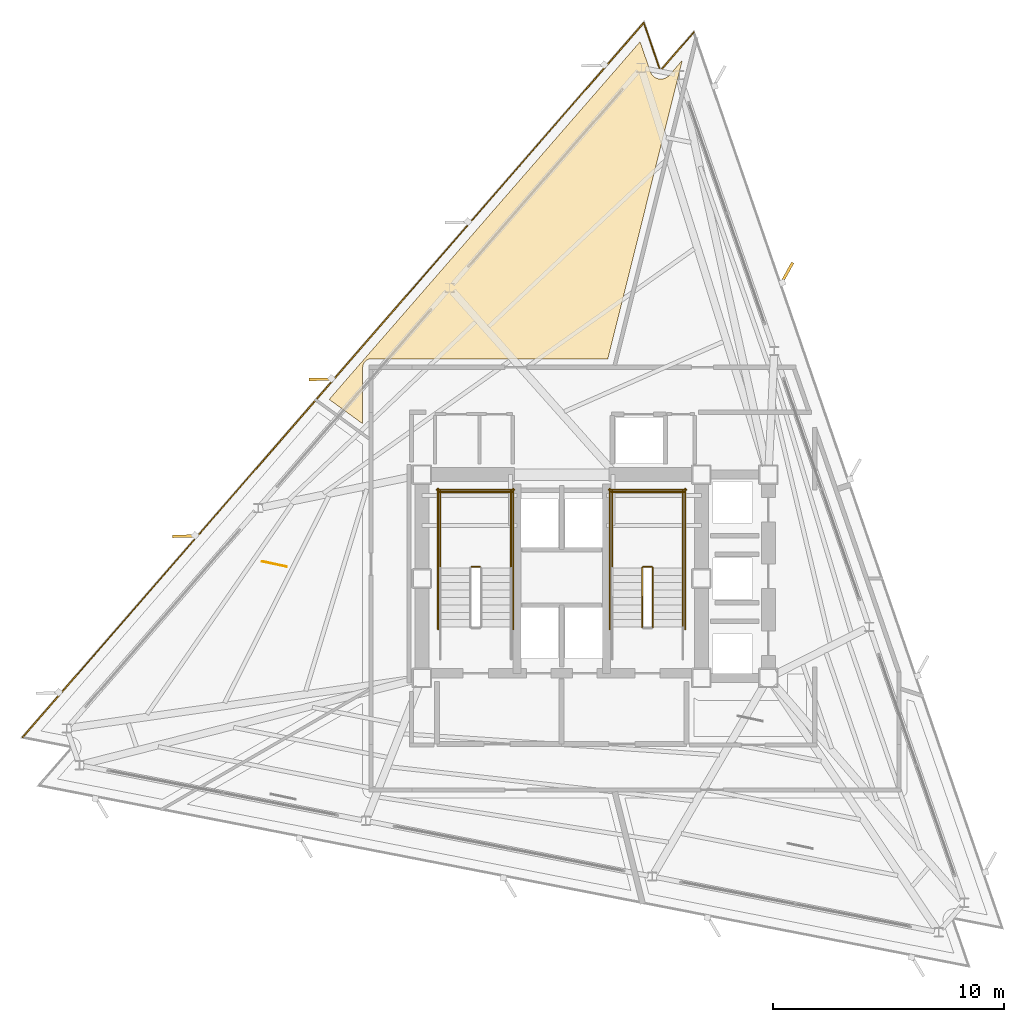
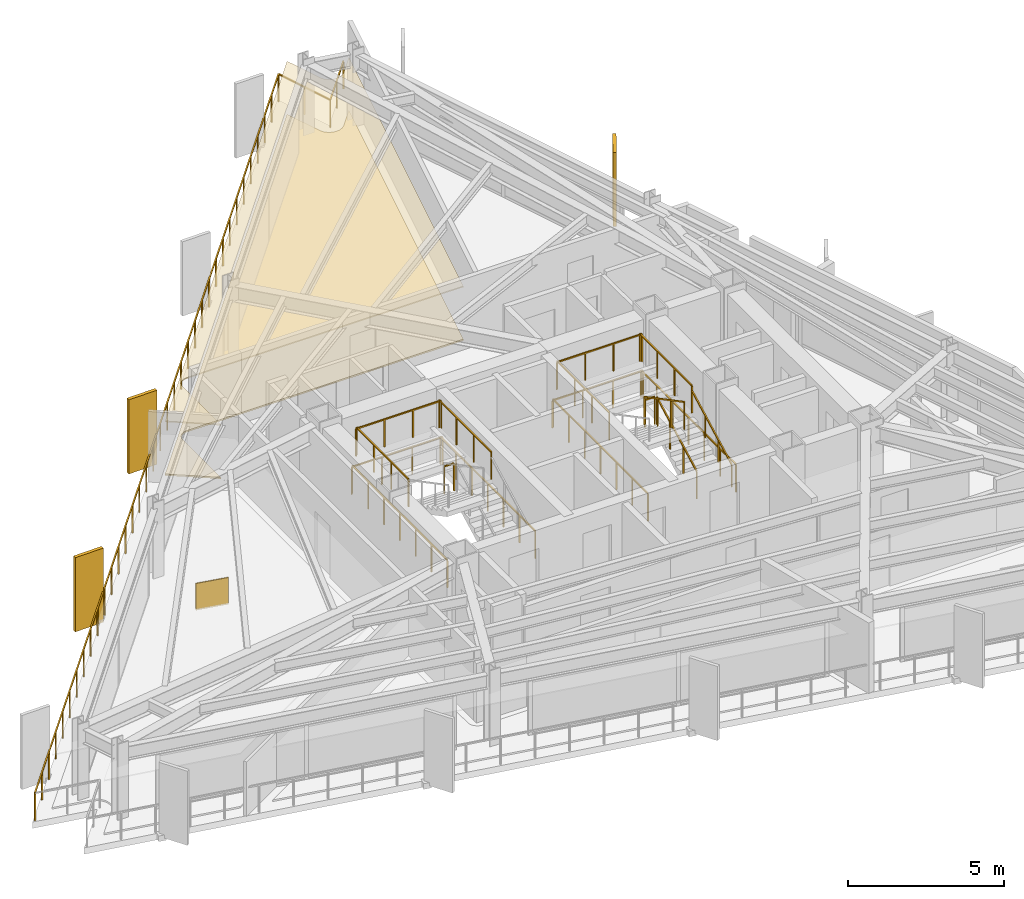
# One storey, part 12 of 13: 18 railings, 3 coverings, 3 shading devices.
"""IFC4 building model written with IfcOpenShell, lengths in metres."""

import ifcopenshell
import ifcopenshell.guid

model = None  # the IFC model being written
_history = None  # IfcOwnerHistory: only IFC2X3 demands one
_inside = {}  # id of a spatial element -> (the spatial element, [elements in it])
_under = {}  # id of a project, library or spatial element -> (it, [spatial elements below it])
_declared = {}  # id of a project -> (the project, [libraries it declares])
_typed = {}  # id of a type object -> (the type object, [elements of that type])
_made_of = {}  # id of a material, layer set ... -> (it, [elements and type objects made of it])


def new_model(schema):
    """Start an empty IFC model of exactly this schema.

    Asked for "IFC4X3", IfcOpenShell would pick the latest addendum, in which some entities
    have other attributes; the version numbers below select the first issue.
    IFC2X3 requires an IfcOwnerHistory on every rooted entity: one is made here for all.
    """
    global model, _history
    if schema == "IFC4X3":
        model = ifcopenshell.file(schema_version=(4, 3, 0, 0))
    else:
        model = ifcopenshell.file(schema=schema)
    _inside.clear()
    _under.clear()
    _declared.clear()
    _typed.clear()
    _made_of.clear()
    _history = None
    if model.schema == "IFC2X3":
        org = make("IfcOrganization", Name="unknown")
        user = make(
            "IfcPersonAndOrganization",
            ThePerson=make("IfcPerson", FamilyName="unknown"),
            TheOrganization=org,
        )
        app = make(
            "IfcApplication",
            ApplicationDeveloper=org,
            Version="unknown",
            ApplicationFullName="unknown",
            ApplicationIdentifier="unknown",
        )
        _history = make(
            "IfcOwnerHistory",
            OwningUser=user,
            OwningApplication=app,
            ChangeAction="ADDED",
            CreationDate=0,
        )
    return model


def make(cls, **values):
    """One entity of the class cls with the attributes given. An attribute that is None is left unset."""
    return model.create_entity(
        cls, **{name: value for name, value in values.items() if value is not None}
    )


def rooted(cls, **values):
    """An entity with a GlobalId (a new one), such as an element, a storey or a relation."""
    return make(cls, GlobalId=ifcopenshell.guid.new(), OwnerHistory=_history, **values)


def si_unit(unit_type, name, prefix=None):
    """IfcSIUnit, for example si_unit("LENGTHUNIT", "METRE", prefix="MILLI")."""
    return make("IfcSIUnit", UnitType=unit_type, Prefix=prefix, Name=name)


def assignment(units):
    """IfcUnitAssignment: the units of a project."""
    return None if units is None else make("IfcUnitAssignment", Units=units)


def point(xyz):
    """IfcCartesianPoint."""
    return None if xyz is None else make("IfcCartesianPoint", Coordinates=xyz)


def direction(xyz):
    """IfcDirection."""
    return None if xyz is None else make("IfcDirection", DirectionRatios=xyz)


def frame(location, z_axis=None, x_axis=None):
    """IfcAxis2Placement3D, a coordinate frame: its origin and axes. An axis left out is left unset."""
    return make(
        "IfcAxis2Placement3D",
        Location=point(location),
        Axis=direction(z_axis),
        RefDirection=direction(x_axis),
    )


def frame_2d(location, x_axis=None):
    """IfcAxis2Placement2D, a coordinate frame in the plane: its origin and x axis."""
    return make(
        "IfcAxis2Placement2D", Location=point(location), RefDirection=direction(x_axis)
    )


def origin():
    """The frame at (0, 0, 0) with its axes left unset."""
    return frame((0.0, 0.0, 0.0))


def origin_2d():
    """The frame at (0, 0) in the plane with its x axis left unset."""
    return frame_2d((0.0, 0.0))


def place(relative_to, where):
    """IfcLocalPlacement: puts the frame where relative to a parent placement (None: the world)."""
    return make(
        "IfcLocalPlacement", PlacementRelTo=relative_to, RelativePlacement=where
    )


def context(
    kind, dimensions, precision=None, world=None, true_north=None, identifier=None
):
    """IfcGeometricRepresentationContext, for example the 3D "Model" context."""
    return make(
        "IfcGeometricRepresentationContext",
        ContextIdentifier=identifier,
        ContextType=kind,
        CoordinateSpaceDimension=dimensions,
        Precision=precision,
        WorldCoordinateSystem=world,
        TrueNorth=true_north,
    )


def subcontext(parent, identifier, kind, view, scale=None):
    """IfcGeometricRepresentationSubContext, for example "Body" below "Model"."""
    return make(
        "IfcGeometricRepresentationSubContext",
        ContextIdentifier=identifier,
        ContextType=kind,
        ParentContext=parent,
        TargetScale=scale,
        TargetView=view,
    )


def project(units=None, contexts=None):
    """IfcProject with its units and contexts."""
    return rooted(
        "IfcProject",
        Name="project",
        RepresentationContexts=contexts,
        UnitsInContext=assignment(units),
    )


def spatial(cls, under=None, at=None, **own):
    """A site, building, storey or space (cls), placed at a placement, below another one or the project."""
    s = rooted(cls, ObjectPlacement=at, **own)
    if under is not None:
        _under.setdefault(under.id(), (under, []))[1].append(s)
    return s


def polyline(points):
    """IfcPolyline through the points."""
    return make("IfcPolyline", Points=[point(p) for p in points])


def profile(cls, at=None, kind="AREA", **sizes):
    """A parametric profile (cls). Its sizes go by their IFC names, for example OverallWidth=200.0."""
    return make(cls, ProfileType=kind, Position=at, **sizes)


def rectangle(**sizes):
    """IfcRectangleProfileDef."""
    return profile("IfcRectangleProfileDef", **sizes)


def outline(outer, holes=None, kind="AREA"):
    """IfcArbitraryClosedProfileDef: a profile drawn as a closed curve; with holes, ...WithVoids."""
    if holes is None:
        return make("IfcArbitraryClosedProfileDef", ProfileType=kind, OuterCurve=outer)
    return make(
        "IfcArbitraryProfileDefWithVoids",
        ProfileType=kind,
        OuterCurve=outer,
        InnerCurves=holes,
    )


def extrude(swept, where, along, depth):
    """IfcExtrudedAreaSolid: the profile swept, set in the frame where, extruded along a direction by depth."""
    return make(
        "IfcExtrudedAreaSolid",
        SweptArea=swept,
        Position=where,
        ExtrudedDirection=direction(along),
        Depth=depth,
    )


def shape(context_of_items, identifier, shape_type, items):
    """IfcShapeRepresentation: the items that make up one representation, for example the "Body"."""
    return make(
        "IfcShapeRepresentation",
        ContextOfItems=context_of_items,
        RepresentationIdentifier=identifier,
        RepresentationType=shape_type,
        Items=items,
    )


def material(Name=None, Category=None):
    """IfcMaterial."""
    return make("IfcMaterial", Name=Name, Category=Category)


def layer(
    of_material, thickness, ventilated=None, Name=None, Category=None, Priority=None
):
    """IfcMaterialLayer: one layer of a wall or slab, of a material (None: an air gap)."""
    return make(
        "IfcMaterialLayer",
        Material=of_material,
        LayerThickness=thickness,
        IsVentilated=ventilated,
        Name=Name,
        Category=Category,
        Priority=Priority,
    )


def layer_set(layers, Name=None):
    """IfcMaterialLayerSet."""
    return make("IfcMaterialLayerSet", MaterialLayers=layers, LayerSetName=Name)


def made_of(thing, what):
    """Note that an element or type object is made of a material, layer set ...; save() writes the relation."""
    if what is not None:
        _made_of.setdefault(what.id(), (what, []))[1].append(thing)
    return thing


def type_object(cls, material=None, **own):
    """A type object (cls), such as IfcWallType, which elements share."""
    return made_of(rooted(cls, **own), material)


def element(
    cls,
    number,
    at=None,
    inside=None,
    cuts=None,
    type_object=None,
    material=None,
    context=None,
    identifier="Body",
    shape_type=None,
    held_by="IfcProductDefinitionShape",
    body=None,
    shapes=None,
    **own,
):
    """One element of the class cls, such as IfcWall. Its Tag is "e" and its number.

    at: its placement. inside: the storey or other place that contains it. cuts: it is an
    opening in that element (IfcRelVoidsElement). A single representation is given by context,
    identifier, shape_type and body (its items); several are given by shapes. held_by: the class
    of the entity that holds the representations. save() writes the other relations.
    """
    e = rooted(cls, Tag="e%d" % number, ObjectPlacement=at, **own)
    if body is not None:
        shapes = [shape(context, identifier, shape_type, body)]
    if shapes is not None:
        e.Representation = make(held_by, Representations=shapes)
    if inside is not None:
        _inside.setdefault(inside.id(), (inside, []))[1].append(e)
    if cuts is not None:
        rooted(
            "IfcRelVoidsElement", RelatingBuildingElement=cuts, RelatedOpeningElement=e
        )
    if type_object is not None:
        _typed.setdefault(type_object.id(), (type_object, []))[1].append(e)
    return made_of(e, material)


def aggregate(whole, parts):
    """IfcRelAggregates: a whole, such as a stair, and the parts it consists of."""
    return rooted("IfcRelAggregates", RelatingObject=whole, RelatedObjects=parts)


def save(model, path):
    """Write the relations noted so far, then the file.

    IfcRelAggregates (storeys below a building ...), IfcRelContainedInSpatialStructure (elements
    in a storey), IfcRelDefinesByType, IfcRelAssociatesMaterial and IfcRelDeclares: one each for
    every whole, place, type object, material and project.
    """
    for whole, parts in _under.values():
        aggregate(whole, parts)
    for where, things in _inside.values():
        rooted(
            "IfcRelContainedInSpatialStructure",
            RelatedElements=things,
            RelatingStructure=where,
        )
    for kind, things in _typed.values():
        rooted("IfcRelDefinesByType", RelatedObjects=things, RelatingType=kind)
    for what, things in _made_of.values():
        rooted("IfcRelAssociatesMaterial", RelatedObjects=things, RelatingMaterial=what)
    for by, libraries in _declared.values():
        rooted("IfcRelDeclares", RelatingContext=by, RelatedDefinitions=libraries)
    model.write(path)


model = new_model("IFC4")

# Units and contexts
model_context = context("Model", 3, precision=1e-05, world=origin(), true_north=direction((0.0, 1.0)))
body_context = subcontext(model_context, "Body", "Model", "MODEL_VIEW")
ifc_project = project(units=[si_unit("LENGTHUNIT", "METRE"), si_unit("AREAUNIT", "SQUARE_METRE"), si_unit("VOLUMEUNIT", "CUBIC_METRE"), si_unit("PLANEANGLEUNIT", "RADIAN"), si_unit("MASSUNIT", "GRAM", prefix="KILO")], contexts=[model_context])

# Site, building, storey
site_placement = place(None, origin())
site = spatial("IfcSite", under=ifc_project, at=site_placement, CompositionType="ELEMENT")
building_placement = place(site_placement, origin())
building = spatial("IfcBuilding", under=site, at=building_placement, Name="Rocaltana Carrier Exchange", CompositionType="ELEMENT")
storey_placement = place(building_placement, frame((0.0, 0.0, 150.239990234375)))
storey = spatial("IfcBuildingStorey", under=building, at=storey_placement, Name="L47", CompositionType="ELEMENT", Elevation=150.239990234375)

# Coverings
ifc_material_1 = material(Name="Calcium Sulphate & Aluminium Pedestal", Category="aluminium")
ifc_layer_1 = layer(ifc_material_1, 0.06005859375)
ifc_layer_set_1 = layer_set([ifc_layer_1], Name="Calcium Sulphate & Aluminium Pedestal")
covering_type_1 = type_object("IfcCoveringType", Name="Anti-Static Raised Exchange Access Floor 60", PredefinedType="FLOORING", material=ifc_layer_set_1)
covering_1_placement = place(storey_placement, origin())
element("IfcCovering", 1, at=covering_1_placement, inside=storey, type_object=covering_type_1, Name="L47 Network Operations Office Finish Floor", PredefinedType="FLOORING", context=body_context, shape_type="SweptSolid", body=[
    extrude(outline(polyline([(3.39697265625, 23.24072265625), (3.842529296875, 21.94677734375), (3.847412109375, 21.93359375), (3.85498046875, 21.9150390625), (3.866455078125, 21.889892578125), (3.875732421875, 21.8720703125), (3.889892578125, 21.847900390625), (3.90087890625, 21.831298828125), (3.917236328125, 21.808837890625), (3.9296875, 21.793212890625), (3.948486328125, 21.7724609375), (3.96240234375, 21.75830078125), (3.983154296875, 21.739501953125), (3.99853515625, 21.726806640625), (4.020751953125, 21.710205078125), (4.037353515625, 21.698974609375), (4.061279296875, 21.684814453125), (4.078857421875, 21.67529296875), (4.104248046875, 21.663330078125), (4.12255859375, 21.65576171875), (4.14892578125, 21.646484375), (4.16796875, 21.640625), (4.195068359375, 21.634033203125), (4.214599609375, 21.630126953125), (4.2421875, 21.626220703125), (4.26220703125, 21.62451171875), (4.2900390625, 21.623291015625), (4.31005859375, 21.623291015625), (4.337890625, 21.625), (4.357666015625, 21.627197265625), (4.38525390625, 21.63134765625), (4.40478515625, 21.635498046875), (4.431640625, 21.642578125), (4.45068359375, 21.648681640625), (4.476806640625, 21.658447265625), (4.4951171875, 21.666259765625), (4.520263671875, 21.6787109375), (4.53759765625, 21.688232421875), (4.561279296875, 21.702880859375), (4.577880859375, 21.71435546875), (4.599853515625, 21.731201171875), (4.614990234375, 21.744384765625), (4.635498046875, 21.763427734375), (4.649169921875, 21.77783203125), (4.65869140625, 21.7880859375), (5.223388671875, 22.4375), (2.0, 9.510009765625), (-8.25, 9.510009765625), (-8.263671875, 9.509765625), (-8.271484375, 9.50927734375), (-8.298828125, 9.506591796875), (-8.306640625, 9.50537109375), (-8.33349609375, 9.5), (-8.34130859375, 9.498291015625), (-8.36767578125, 9.490234375), (-8.375, 9.487548828125), (-8.400390625, 9.47705078125), (-8.407470703125, 9.4736328125), (-8.431640625, 9.460693359375), (-8.4384765625, 9.456787109375), (-8.461181640625, 9.44140625), (-8.467529296875, 9.436767578125), (-8.48876953125, 9.419189453125), (-8.49462890625, 9.4140625), (-8.513916015625, 9.39453125), (-8.519287109375, 9.388916015625), (-8.53662109375, 9.367431640625), (-8.54150390625, 9.361083984375), (-8.556640625, 9.33837890625), (-8.560791015625, 9.331787109375), (-8.57373046875, 9.307373046875), (-8.576904296875, 9.30029296875), (-8.58740234375, 9.27490234375), (-8.590087890625, 9.267578125), (-8.59814453125, 9.2412109375), (-8.60009765625, 9.233642578125), (-8.60546875, 9.206787109375), (-8.606689453125, 9.198974609375), (-8.609375, 9.171630859375), (-8.609619140625, 9.163818359375), (-8.610107421875, 9.14990234375), (-8.610107421875, 6.700439453125), (-10.0634765625, 7.75634765625), (3.39697265625, 23.24072265625)])), origin(), (0.0, 0.0, 1.0), 0.06005859375),
])
ifc_material_2 = material(Name="Mineral Fibre & Powder-Coated Aluminium", Category="aluminium")
ifc_layer_2 = layer(ifc_material_2, 0.044921875)
ifc_layer_set_2 = layer_set([ifc_layer_2], Name="Mineral Fibre & Powder-Coated Aluminium")
covering_type_2 = type_object("IfcCoveringType", Name="Micro-Perforated Acoustic Ceiling 45", PredefinedType="CEILING", material=ifc_layer_set_2)
covering_2_placement = place(storey_placement, frame((0.0, 0.0, 2.093017578125)))
element("IfcCovering", 2, at=covering_2_placement, inside=storey, type_object=covering_type_2, Name="L47 Network Operations Office Acoustic Ceiling", PredefinedType="CEILING", context=body_context, shape_type="SweptSolid", body=[
    extrude(outline(polyline([(3.39697265625, 23.24072265625), (3.842529296875, 21.94677734375), (3.847412109375, 21.93359375), (3.85498046875, 21.9150390625), (3.866455078125, 21.889892578125), (3.875732421875, 21.8720703125), (3.889892578125, 21.847900390625), (3.90087890625, 21.831298828125), (3.917236328125, 21.808837890625), (3.9296875, 21.793212890625), (3.948486328125, 21.7724609375), (3.96240234375, 21.75830078125), (3.983154296875, 21.739501953125), (3.99853515625, 21.726806640625), (4.020751953125, 21.710205078125), (4.037353515625, 21.698974609375), (4.061279296875, 21.684814453125), (4.078857421875, 21.67529296875), (4.104248046875, 21.663330078125), (4.12255859375, 21.65576171875), (4.14892578125, 21.646484375), (4.16796875, 21.640625), (4.195068359375, 21.634033203125), (4.214599609375, 21.630126953125), (4.2421875, 21.626220703125), (4.26220703125, 21.62451171875), (4.2900390625, 21.623291015625), (4.31005859375, 21.623291015625), (4.337890625, 21.625), (4.357666015625, 21.627197265625), (4.38525390625, 21.63134765625), (4.40478515625, 21.635498046875), (4.431640625, 21.642578125), (4.45068359375, 21.648681640625), (4.476806640625, 21.658447265625), (4.4951171875, 21.666259765625), (4.520263671875, 21.6787109375), (4.53759765625, 21.688232421875), (4.561279296875, 21.702880859375), (4.577880859375, 21.71435546875), (4.599853515625, 21.731201171875), (4.614990234375, 21.744384765625), (4.635498046875, 21.763427734375), (4.649169921875, 21.77783203125), (4.65869140625, 21.7880859375), (5.223388671875, 22.4375), (2.0, 9.510009765625), (-8.25, 9.510009765625), (-8.263671875, 9.509765625), (-8.271484375, 9.50927734375), (-8.298828125, 9.506591796875), (-8.306640625, 9.50537109375), (-8.33349609375, 9.5), (-8.34130859375, 9.498291015625), (-8.36767578125, 9.490234375), (-8.375, 9.487548828125), (-8.400390625, 9.47705078125), (-8.407470703125, 9.4736328125), (-8.431640625, 9.460693359375), (-8.4384765625, 9.456787109375), (-8.461181640625, 9.44140625), (-8.467529296875, 9.436767578125), (-8.48876953125, 9.419189453125), (-8.49462890625, 9.4140625), (-8.513916015625, 9.39453125), (-8.519287109375, 9.388916015625), (-8.53662109375, 9.367431640625), (-8.54150390625, 9.361083984375), (-8.556640625, 9.33837890625), (-8.560791015625, 9.331787109375), (-8.57373046875, 9.307373046875), (-8.576904296875, 9.30029296875), (-8.58740234375, 9.27490234375), (-8.590087890625, 9.267578125), (-8.59814453125, 9.2412109375), (-8.60009765625, 9.233642578125), (-8.60546875, 9.206787109375), (-8.606689453125, 9.198974609375), (-8.609375, 9.171630859375), (-8.609619140625, 9.163818359375), (-8.610107421875, 9.14990234375), (-8.610107421875, 6.700439453125), (-10.0634765625, 7.75634765625), (3.39697265625, 23.24072265625)])), origin(), (0.0, 0.0, 1.0), 0.044921875),
])

# Railings
ifc_material_3 = material(Name="Brushed Architectural Stainless Tube", Category="steel")
ifc_layer_3 = layer(ifc_material_3, 0.048095703125)
ifc_layer_set_3 = layer_set([ifc_layer_3], Name="Brushed Architectural Stainless Tube")
railing_type_1 = type_object("IfcRailingType", Name="Stair Wall Handrail 920", PredefinedType="HANDRAIL", material=ifc_layer_set_3)
railing_1_placement = place(storey_placement, frame((5.25, -2.10009765625, 0.1689453125)))
element("IfcRailing", 3, at=railing_1_placement, inside=storey, type_object=railing_type_1, Name="L47 ST-2 stair handrail 1", PredefinedType="HANDRAIL", context=body_context, shape_type="SweptSolid", body=[
    extrude(rectangle(XDim=0.048095703125, YDim=0.048095703125, at=origin_2d()), frame((0.0, 0.0, 0.8759765625), z_axis=(0.0, 0.884394423565, 0.466740295633), x_axis=(-1.0, 0.0, 0.0)), (0.0, 0.0, 1.0), 2.894775390625),
    extrude(rectangle(XDim=0.0419921875, YDim=0.0419921875, at=origin_2d()), origin(), (0.0, 0.0, 1.0), 0.851806640625),
    extrude(rectangle(XDim=0.0419921875, YDim=0.0419921875, at=origin_2d()), frame((0.0, 0.853271484375, 0.450439453125)), (0.0, 0.0, 1.0), 0.851806640625),
    extrude(rectangle(XDim=0.0419921875, YDim=0.0419921875, at=origin_2d()), frame((0.0, 1.706787109375, 0.900634765625)), (0.0, 0.0, 1.0), 0.851806640625),
    extrude(rectangle(XDim=0.0419921875, YDim=0.0419921875, at=origin_2d()), frame((0.0, 2.56005859375, 1.35107421875)), (0.0, 0.0, 1.0), 0.851806640625),
])
ifc_material_4 = material(Name="Powder-Coated Aluminium 6063-T6", Category="aluminium")
ifc_layer_4 = layer(ifc_material_4, 0.048095703125)
ifc_layer_set_4 = layer_set([ifc_layer_4], Name="Powder-Coated Aluminium 6063-T6")
railing_type_2 = type_object("IfcRailingType", Name="Stair Well Guardrail 1100", PredefinedType="GUARDRAIL", material=ifc_layer_set_4)
railing_2_placement = place(storey_placement, frame((-3.5400390625, 0.510009765625, 1.52001953125)))
element("IfcRailing", 4, at=railing_2_placement, inside=storey, type_object=railing_type_2, Name="L47 ST-1 stair guard 2", PredefinedType="GUARDRAIL", context=body_context, shape_type="SweptSolid", body=[
    extrude(rectangle(XDim=0.048095703125, YDim=0.048095703125, at=origin_2d()), frame((0.0, 0.0, 1.076171875), z_axis=(-1.0, 0.0, 0.0), x_axis=(0.0, -1.0, 0.0)), (0.0, 0.0, 1.0), 0.35986328125),
    extrude(rectangle(XDim=0.0419921875, YDim=0.0419921875, at=origin_2d()), origin(), (0.0, 0.0, 1.0), 1.052001953125),
    extrude(rectangle(XDim=0.0419921875, YDim=0.0419921875, at=origin_2d()), frame((-0.35986328125, 0.0, 0.0)), (0.0, 0.0, 1.0), 1.052001953125),
])
for number, where, name in (
    (5, (-2.18994140625, 0.4599609375, 1.52001953125), "L47 ST-1 stair guard 3"),
    (6, (-5.25, 0.4599609375, 1.52001953125), "L47 ST-1 stair guard 4"),
):
    element("IfcRailing", number, at=place(storey_placement, frame(where)), inside=storey, type_object=railing_type_2, Name=name, PredefinedType="GUARDRAIL", context=body_context, shape_type="SweptSolid", body=[
        extrude(rectangle(XDim=0.048095703125, YDim=0.048095703125, at=origin_2d()), frame((0.0, 0.0, 1.076171875), z_axis=(0.0, 1.0, 0.0), x_axis=(-1.0, 0.0, 0.0)), (0.0, 0.0, 1.0), 3.340087890625),
        extrude(rectangle(XDim=0.0419921875, YDim=0.0419921875, at=origin_2d()), origin(), (0.0, 0.0, 1.0), 1.052001953125),
        extrude(rectangle(XDim=0.0419921875, YDim=0.0419921875, at=origin_2d()), frame((0.0, 1.11328125, 0.0)), (0.0, 0.0, 1.0), 1.052001953125),
        extrude(rectangle(XDim=0.0419921875, YDim=0.0419921875, at=origin_2d()), frame((0.0, 2.226806640625, 0.0)), (0.0, 0.0, 1.0), 1.052001953125),
        extrude(rectangle(XDim=0.0419921875, YDim=0.0419921875, at=origin_2d()), frame((0.0, 3.340087890625, 0.0)), (0.0, 0.0, 1.0), 1.052001953125),
    ])
railing_3_placement = place(storey_placement, frame((-2.139892578125, 3.75, 1.52001953125)))
element("IfcRailing", 7, at=railing_3_placement, inside=storey, type_object=railing_type_2, Name="L47 ST-1 stair guard 5", PredefinedType="GUARDRAIL", context=body_context, shape_type="SweptSolid", body=[
    extrude(rectangle(XDim=0.048095703125, YDim=0.048095703125, at=origin_2d()), frame((0.0, 0.0, 1.076171875), z_axis=(-1.0, 0.0, 0.0), x_axis=(0.0, -1.0, 0.0)), (0.0, 0.0, 1.0), 3.16015625),
    extrude(rectangle(XDim=0.0419921875, YDim=0.0419921875, at=origin_2d()), origin(), (0.0, 0.0, 1.0), 1.052001953125),
    extrude(rectangle(XDim=0.0419921875, YDim=0.0419921875, at=origin_2d()), frame((-1.053466796875, 0.0, 0.0)), (0.0, 0.0, 1.0), 1.052001953125),
    extrude(rectangle(XDim=0.0419921875, YDim=0.0419921875, at=origin_2d()), frame((-2.106689453125, 0.0, 0.0)), (0.0, 0.0, 1.0), 1.052001953125),
    extrude(rectangle(XDim=0.0419921875, YDim=0.0419921875, at=origin_2d()), frame((-3.16015625, 0.0, 0.0)), (0.0, 0.0, 1.0), 1.052001953125),
])
for number, where, name in (
    (8, (-2.090087890625, -2.199951171875, 0.0), "L47 ST-1 stair guard 10"),
    (9, (-5.35009765625, -2.199951171875, 0.0), "L47 ST-1 stair guard 11"),
):
    element("IfcRailing", number, at=place(storey_placement, frame(where)), inside=storey, type_object=railing_type_2, Name=name, PredefinedType="GUARDRAIL", context=body_context, shape_type="SweptSolid", body=[
        extrude(rectangle(XDim=0.048095703125, YDim=0.048095703125, at=origin_2d()), frame((0.0, 0.0, 1.076171875), z_axis=(0.0, 1.0, 0.0), x_axis=(-1.0, 0.0, 0.0)), (0.0, 0.0, 1.0), 6.099853515625),
        extrude(rectangle(XDim=0.0419921875, YDim=0.0419921875, at=origin_2d()), origin(), (0.0, 0.0, 1.0), 1.052001953125),
        extrude(rectangle(XDim=0.0419921875, YDim=0.0419921875, at=origin_2d()), frame((0.0, 1.0166015625, 0.0)), (0.0, 0.0, 1.0), 1.052001953125),
        extrude(rectangle(XDim=0.0419921875, YDim=0.0419921875, at=origin_2d()), frame((0.0, 2.033203125, 0.0)), (0.0, 0.0, 1.0), 1.052001953125),
        extrude(rectangle(XDim=0.0419921875, YDim=0.0419921875, at=origin_2d()), frame((0.0, 3.0498046875, 0.0)), (0.0, 0.0, 1.0), 1.052001953125),
        extrude(rectangle(XDim=0.0419921875, YDim=0.0419921875, at=origin_2d()), frame((0.0, 4.066650390625, 0.0)), (0.0, 0.0, 1.0), 1.052001953125),
        extrude(rectangle(XDim=0.0419921875, YDim=0.0419921875, at=origin_2d()), frame((0.0, 5.083251953125, 0.0)), (0.0, 0.0, 1.0), 1.052001953125),
        extrude(rectangle(XDim=0.0419921875, YDim=0.0419921875, at=origin_2d()), frame((0.0, 6.099853515625, 0.0)), (0.0, 0.0, 1.0), 1.052001953125),
    ])
railing_4_placement = place(storey_placement, frame((-2.0400390625, 3.85009765625, 0.0)))
element("IfcRailing", 10, at=railing_4_placement, inside=storey, type_object=railing_type_2, Name="L47 ST-1 stair guard 12", PredefinedType="GUARDRAIL", context=body_context, shape_type="SweptSolid", body=[
    extrude(rectangle(XDim=0.048095703125, YDim=0.048095703125, at=origin_2d()), frame((0.0, 0.0, 1.076171875), z_axis=(-1.0, 0.0, 0.0), x_axis=(0.0, -1.0, 0.0)), (0.0, 0.0, 1.0), 3.35986328125),
    extrude(rectangle(XDim=0.0419921875, YDim=0.0419921875, at=origin_2d()), origin(), (0.0, 0.0, 1.0), 1.052001953125),
    extrude(rectangle(XDim=0.0419921875, YDim=0.0419921875, at=origin_2d()), frame((-1.119873046875, 0.0, 0.0)), (0.0, 0.0, 1.0), 1.052001953125),
    extrude(rectangle(XDim=0.0419921875, YDim=0.0419921875, at=origin_2d()), frame((-2.239990234375, 0.0, 0.0)), (0.0, 0.0, 1.0), 1.052001953125),
    extrude(rectangle(XDim=0.0419921875, YDim=0.0419921875, at=origin_2d()), frame((-3.35986328125, 0.0, 0.0)), (0.0, 0.0, 1.0), 1.052001953125),
])
railing_5_placement = place(storey_placement, frame((3.949951171875, -2.10009765625, 0.1689453125)))
element("IfcRailing", 11, at=railing_5_placement, inside=storey, type_object=railing_type_2, Name="L47 ST-2 stair guard 1", PredefinedType="GUARDRAIL", context=body_context, shape_type="SweptSolid", body=[
    extrude(rectangle(XDim=0.048095703125, YDim=0.048095703125, at=origin_2d()), frame((0.0, 0.0, 1.076171875), z_axis=(0.0, 0.884394423565, 0.466740295633), x_axis=(-1.0, 0.0, 0.0)), (0.0, 0.0, 1.0), 2.894775390625),
    extrude(rectangle(XDim=0.0419921875, YDim=0.0419921875, at=origin_2d()), origin(), (0.0, 0.0, 1.0), 1.052001953125),
    extrude(rectangle(XDim=0.0419921875, YDim=0.0419921875, at=origin_2d()), frame((0.0, 0.853271484375, 0.450439453125)), (0.0, 0.0, 1.0), 1.052001953125),
    extrude(rectangle(XDim=0.0419921875, YDim=0.0419921875, at=origin_2d()), frame((0.0, 1.706787109375, 0.900634765625)), (0.0, 0.0, 1.0), 1.052001953125),
    extrude(rectangle(XDim=0.0419921875, YDim=0.0419921875, at=origin_2d()), frame((0.0, 2.56005859375, 1.35107421875)), (0.0, 0.0, 1.0), 1.052001953125),
])
railing_6_placement = place(storey_placement, frame((3.89990234375, 0.510009765625, 1.52001953125)))
element("IfcRailing", 12, at=railing_6_placement, inside=storey, type_object=railing_type_2, Name="L47 ST-2 stair guard 2", PredefinedType="GUARDRAIL", context=body_context, shape_type="SweptSolid", body=[
    extrude(rectangle(XDim=0.048095703125, YDim=0.048095703125, at=origin_2d()), frame((0.0, 0.0, 1.076171875), z_axis=(-1.0, 0.0, 0.0), x_axis=(0.0, -1.0, 0.0)), (0.0, 0.0, 1.0), 0.35986328125),
    extrude(rectangle(XDim=0.0419921875, YDim=0.0419921875, at=origin_2d()), origin(), (0.0, 0.0, 1.0), 1.052001953125),
    extrude(rectangle(XDim=0.0419921875, YDim=0.0419921875, at=origin_2d()), frame((-0.35986328125, 0.0, 0.0)), (0.0, 0.0, 1.0), 1.052001953125),
])
for number, where, name in (
    (13, (5.25, 0.4599609375, 1.52001953125), "L47 ST-2 stair guard 3"),
    (14, (2.18994140625, 0.4599609375, 1.52001953125), "L47 ST-2 stair guard 4"),
):
    element("IfcRailing", number, at=place(storey_placement, frame(where)), inside=storey, type_object=railing_type_2, Name=name, PredefinedType="GUARDRAIL", context=body_context, shape_type="SweptSolid", body=[
        extrude(rectangle(XDim=0.048095703125, YDim=0.048095703125, at=origin_2d()), frame((0.0, 0.0, 1.076171875), z_axis=(0.0, 1.0, 0.0), x_axis=(-1.0, 0.0, 0.0)), (0.0, 0.0, 1.0), 3.340087890625),
        extrude(rectangle(XDim=0.0419921875, YDim=0.0419921875, at=origin_2d()), origin(), (0.0, 0.0, 1.0), 1.052001953125),
        extrude(rectangle(XDim=0.0419921875, YDim=0.0419921875, at=origin_2d()), frame((0.0, 1.11328125, 0.0)), (0.0, 0.0, 1.0), 1.052001953125),
        extrude(rectangle(XDim=0.0419921875, YDim=0.0419921875, at=origin_2d()), frame((0.0, 2.226806640625, 0.0)), (0.0, 0.0, 1.0), 1.052001953125),
        extrude(rectangle(XDim=0.0419921875, YDim=0.0419921875, at=origin_2d()), frame((0.0, 3.340087890625, 0.0)), (0.0, 0.0, 1.0), 1.052001953125),
    ])
railing_7_placement = place(storey_placement, frame((5.300048828125, 3.75, 1.52001953125)))
element("IfcRailing", 15, at=railing_7_placement, inside=storey, type_object=railing_type_2, Name="L47 ST-2 stair guard 5", PredefinedType="GUARDRAIL", context=body_context, shape_type="SweptSolid", body=[
    extrude(rectangle(XDim=0.048095703125, YDim=0.048095703125, at=origin_2d()), frame((0.0, 0.0, 1.076171875), z_axis=(-1.0, 0.0, 0.0), x_axis=(0.0, -1.0, 0.0)), (0.0, 0.0, 1.0), 3.16015625),
    extrude(rectangle(XDim=0.0419921875, YDim=0.0419921875, at=origin_2d()), origin(), (0.0, 0.0, 1.0), 1.052001953125),
    extrude(rectangle(XDim=0.0419921875, YDim=0.0419921875, at=origin_2d()), frame((-1.053466796875, 0.0, 0.0)), (0.0, 0.0, 1.0), 1.052001953125),
    extrude(rectangle(XDim=0.0419921875, YDim=0.0419921875, at=origin_2d()), frame((-2.106689453125, 0.0, 0.0)), (0.0, 0.0, 1.0), 1.052001953125),
    extrude(rectangle(XDim=0.0419921875, YDim=0.0419921875, at=origin_2d()), frame((-3.16015625, 0.0, 0.0)), (0.0, 0.0, 1.0), 1.052001953125),
])
railing_8_placement = place(storey_placement, frame((3.489990234375, 0.4599609375, 1.68896484375)))
element("IfcRailing", 16, at=railing_8_placement, inside=storey, type_object=railing_type_2, Name="L47 ST-2 stair guard 6", PredefinedType="GUARDRAIL", context=body_context, shape_type="SweptSolid", body=[
    extrude(rectangle(XDim=0.048095703125, YDim=0.048095703125, at=origin_2d()), frame((0.0, 0.0, 1.076171875), z_axis=(0.0, -0.884394423565, 0.466740295633), x_axis=(1.0, 0.0, 0.0)), (0.0, 0.0, 1.0), 2.894775390625),
    extrude(rectangle(XDim=0.0419921875, YDim=0.0419921875, at=origin_2d()), origin(), (0.0, 0.0, 1.0), 1.052001953125),
    extrude(rectangle(XDim=0.0419921875, YDim=0.0419921875, at=origin_2d()), frame((0.0, -0.853271484375, 0.450439453125)), (0.0, 0.0, 1.0), 1.052001953125),
    extrude(rectangle(XDim=0.0419921875, YDim=0.0419921875, at=origin_2d()), frame((0.0, -1.706787109375, 0.900634765625)), (0.0, 0.0, 1.0), 1.052001953125),
    extrude(rectangle(XDim=0.0419921875, YDim=0.0419921875, at=origin_2d()), frame((0.0, -2.56005859375, 1.35107421875)), (0.0, 0.0, 1.0), 1.052001953125),
])
for number, where, name in (
    (17, (5.35009765625, -2.199951171875, 0.0), "L47 ST-2 stair guard 10"),
    (18, (2.090087890625, -2.199951171875, 0.0), "L47 ST-2 stair guard 11"),
):
    element("IfcRailing", number, at=place(storey_placement, frame(where)), inside=storey, type_object=railing_type_2, Name=name, PredefinedType="GUARDRAIL", context=body_context, shape_type="SweptSolid", body=[
        extrude(rectangle(XDim=0.048095703125, YDim=0.048095703125, at=origin_2d()), frame((0.0, 0.0, 1.076171875), z_axis=(0.0, 1.0, 0.0), x_axis=(-1.0, 0.0, 0.0)), (0.0, 0.0, 1.0), 6.099853515625),
        extrude(rectangle(XDim=0.0419921875, YDim=0.0419921875, at=origin_2d()), origin(), (0.0, 0.0, 1.0), 1.052001953125),
        extrude(rectangle(XDim=0.0419921875, YDim=0.0419921875, at=origin_2d()), frame((0.0, 1.0166015625, 0.0)), (0.0, 0.0, 1.0), 1.052001953125),
        extrude(rectangle(XDim=0.0419921875, YDim=0.0419921875, at=origin_2d()), frame((0.0, 2.033203125, 0.0)), (0.0, 0.0, 1.0), 1.052001953125),
        extrude(rectangle(XDim=0.0419921875, YDim=0.0419921875, at=origin_2d()), frame((0.0, 3.0498046875, 0.0)), (0.0, 0.0, 1.0), 1.052001953125),
        extrude(rectangle(XDim=0.0419921875, YDim=0.0419921875, at=origin_2d()), frame((0.0, 4.066650390625, 0.0)), (0.0, 0.0, 1.0), 1.052001953125),
        extrude(rectangle(XDim=0.0419921875, YDim=0.0419921875, at=origin_2d()), frame((0.0, 5.083251953125, 0.0)), (0.0, 0.0, 1.0), 1.052001953125),
        extrude(rectangle(XDim=0.0419921875, YDim=0.0419921875, at=origin_2d()), frame((0.0, 6.099853515625, 0.0)), (0.0, 0.0, 1.0), 1.052001953125),
    ])
railing_9_placement = place(storey_placement, frame((5.39990234375, 3.85009765625, 0.0)))
element("IfcRailing", 19, at=railing_9_placement, inside=storey, type_object=railing_type_2, Name="L47 ST-2 stair guard 12", PredefinedType="GUARDRAIL", context=body_context, shape_type="SweptSolid", body=[
    extrude(rectangle(XDim=0.048095703125, YDim=0.048095703125, at=origin_2d()), frame((0.0, 0.0, 1.076171875), z_axis=(-1.0, 0.0, 0.0), x_axis=(0.0, -1.0, 0.0)), (0.0, 0.0, 1.0), 3.35986328125),
    extrude(rectangle(XDim=0.0419921875, YDim=0.0419921875, at=origin_2d()), origin(), (0.0, 0.0, 1.0), 1.052001953125),
    extrude(rectangle(XDim=0.0419921875, YDim=0.0419921875, at=origin_2d()), frame((-1.119873046875, 0.0, 0.0)), (0.0, 0.0, 1.0), 1.052001953125),
    extrude(rectangle(XDim=0.0419921875, YDim=0.0419921875, at=origin_2d()), frame((-2.239990234375, 0.0, 0.0)), (0.0, 0.0, 1.0), 1.052001953125),
    extrude(rectangle(XDim=0.0419921875, YDim=0.0419921875, at=origin_2d()), frame((-3.35986328125, 0.0, 0.0)), (0.0, 0.0, 1.0), 1.052001953125),
])

# Covering
ifc_material_5 = material(Name="Honed Piedra Muneca Sandstone", Category="masonry")
ifc_layer_5 = layer(ifc_material_5, 0.034912109375)
ifc_layer_set_5 = layer_set([ifc_layer_5], Name="Honed Piedra Muneca Sandstone")
covering_type_3 = type_object("IfcCoveringType", Name="Stone Facade Cladding 35", PredefinedType="CLADDING", material=ifc_layer_set_5)
covering_3_placement = place(storey_placement, frame((-12.435302734375, 0.627685546875, 0.0), z_axis=(0.0, 0.0, 1.0), x_axis=(-0.978147600734, 0.207911690818, 0.0)))
element("IfcCovering", 20, at=covering_3_placement, inside=storey, type_object=covering_type_3, Name="L47 Stone Facade Cladding Panel 1", PredefinedType="CLADDING", context=body_context, shape_type="SweptSolid", body=[
    extrude(rectangle(XDim=1.10009765625, YDim=0.034912109375, at=origin_2d()), origin(), (0.0, 0.0, 1.0), 1.050048828125),
])

# Shading devices
ifc_material_6 = material(Name="Honed Bogota Sandstone & Concrete C45/55", Category="masonry")
ifc_layer_6 = layer(ifc_material_6, 0.1201171875)
ifc_layer_set_6 = layer_set([ifc_layer_6], Name="Honed Bogota Sandstone & Concrete C45/55")
shading_device_type = type_object("IfcShadingDeviceType", Name="Upper Sandstone Shading Fin 1050x120", PredefinedType="USERDEFINED", material=ifc_layer_set_6)
for number, where, z_axis, x_axis, name in (
    (21, (9.75146484375, 13.219482421875, -0.1201171875), (0.0, 0.0, 1.0), (0.484809620246, 0.874619707139, 0.0), "L47 Sandstone Vertical Fin F1-04"),
    (22, (-10.419677734375, 8.627685546875, -0.1201171875), (0.0, 0.0, 1.0), (-0.999847695156, -0.017452406437, 0.0), "L47 Sandstone Vertical Fin F2-03"),
    (23, (-16.32421875, 1.835205078125, -0.1201171875), (0.0, 0.0, 1.0), (-0.999847695156, -0.017452406437, 0.0), "L47 Sandstone Vertical Fin F2-04"),
):
    element("IfcShadingDevice", number, at=place(storey_placement, frame(where, z_axis=z_axis, x_axis=x_axis)), inside=storey, type_object=shading_device_type, Name=name, ObjectType="FIN", PredefinedType="USERDEFINED", context=body_context, shape_type="SweptSolid", body=[
        extrude(rectangle(XDim=1.050048828125, YDim=0.1201171875, at=origin_2d()), origin(), (0.0, 0.0, 1.0), 2.907958984375),
    ])

# Railing
ifc_material_7 = material(Name="Powder-Coated Aluminium 6063-T6", Category="aluminium")
ifc_layer_7 = layer(ifc_material_7, 0.06005859375)
ifc_layer_set_7 = layer_set([ifc_layer_7], Name="Powder-Coated Aluminium 6063-T6")
railing_type_3 = type_object("IfcRailingType", Name="Wind-Floor & Terrace Perimeter Guardrail 1100", PredefinedType="GUARDRAIL", material=ifc_layer_set_7)
railing_10_placement = place(storey_placement, frame((-23.3359375, -6.871826171875, 0.0)))
element("IfcRailing", 24, at=railing_10_placement, inside=storey, type_object=railing_type_3, Name="L47 Perimeter Balcony Guardrail 2", PredefinedType="GUARDRAIL", context=body_context, shape_type="SweptSolid", body=[
    extrude(rectangle(XDim=0.048095703125, YDim=0.048095703125, at=origin_2d()), frame((0.0, 0.0, 1.076171875), z_axis=(0.656058089841, 0.754710396612, 0.0), x_axis=(-0.754710396612, 0.656058089841, 0.0)), (0.0, 0.0, 1.0), 40.991943359375),
    extrude(rectangle(XDim=0.048095703125, YDim=0.048095703125, at=origin_2d()), frame((26.89306640625, 30.93701171875, 1.076171875), z_axis=(0.325600768791, -0.945507344955, 0.0), x_axis=(0.945507344955, 0.325600768791, 0.0)), (0.0, 0.0, 1.0), 2.199951171875),
    extrude(rectangle(XDim=0.048095703125, YDim=0.048095703125, at=origin_2d()), frame((27.609375, 28.85693359375, 1.076171875), z_axis=(0.656057821484, 0.75471062989, 0.0), x_axis=(-0.75471062989, 0.656057821484, 0.0)), (0.0, 0.0, 1.0), 2.199951171875),
    extrude(rectangle(XDim=0.0419921875, YDim=0.0419921875, at=origin_2d()), origin(), (0.0, 0.0, 1.0), 1.052001953125),
    extrude(rectangle(XDim=0.0419921875, YDim=0.0419921875, at=origin_2d()), frame((0.768310546875, 0.884033203125, 0.0)), (0.0, 0.0, 1.0), 1.052001953125),
    extrude(rectangle(XDim=0.0419921875, YDim=0.0419921875, at=origin_2d()), frame((1.536865234375, 1.767822265625, 0.0)), (0.0, 0.0, 1.0), 1.052001953125),
    extrude(rectangle(XDim=0.0419921875, YDim=0.0419921875, at=origin_2d()), frame((2.30517578125, 2.65185546875, 0.0)), (0.0, 0.0, 1.0), 1.052001953125),
    extrude(rectangle(XDim=0.0419921875, YDim=0.0419921875, at=origin_2d()), frame((3.073486328125, 3.53564453125, 0.0)), (0.0, 0.0, 1.0), 1.052001953125),
    extrude(rectangle(XDim=0.0419921875, YDim=0.0419921875, at=origin_2d()), frame((3.841796875, 4.419677734375, 0.0)), (0.0, 0.0, 1.0), 1.052001953125),
    extrude(rectangle(XDim=0.0419921875, YDim=0.0419921875, at=origin_2d()), frame((4.6103515625, 5.303466796875, 0.0)), (0.0, 0.0, 1.0), 1.052001953125),
    extrude(rectangle(XDim=0.0419921875, YDim=0.0419921875, at=origin_2d()), frame((5.378662109375, 6.1875, 0.0)), (0.0, 0.0, 1.0), 1.052001953125),
    extrude(rectangle(XDim=0.0419921875, YDim=0.0419921875, at=origin_2d()), frame((6.14697265625, 7.0712890625, 0.0)), (0.0, 0.0, 1.0), 1.052001953125),
    extrude(rectangle(XDim=0.0419921875, YDim=0.0419921875, at=origin_2d()), frame((6.915283203125, 7.955322265625, 0.0)), (0.0, 0.0, 1.0), 1.052001953125),
    extrude(rectangle(XDim=0.0419921875, YDim=0.0419921875, at=origin_2d()), frame((7.683837890625, 8.839111328125, 0.0)), (0.0, 0.0, 1.0), 1.052001953125),
    extrude(rectangle(XDim=0.0419921875, YDim=0.0419921875, at=origin_2d()), frame((8.4521484375, 9.72314453125, 0.0)), (0.0, 0.0, 1.0), 1.052001953125),
    extrude(rectangle(XDim=0.0419921875, YDim=0.0419921875, at=origin_2d()), frame((9.220458984375, 10.60693359375, 0.0)), (0.0, 0.0, 1.0), 1.052001953125),
    extrude(rectangle(XDim=0.0419921875, YDim=0.0419921875, at=origin_2d()), frame((9.98876953125, 11.490966796875, 0.0)), (0.0, 0.0, 1.0), 1.052001953125),
    extrude(rectangle(XDim=0.0419921875, YDim=0.0419921875, at=origin_2d()), frame((10.75732421875, 12.374755859375, 0.0)), (0.0, 0.0, 1.0), 1.052001953125),
    extrude(rectangle(XDim=0.0419921875, YDim=0.0419921875, at=origin_2d()), frame((11.525634765625, 13.2587890625, 0.0)), (0.0, 0.0, 1.0), 1.052001953125),
    extrude(rectangle(XDim=0.0419921875, YDim=0.0419921875, at=origin_2d()), frame((12.2939453125, 14.142578125, 0.0)), (0.0, 0.0, 1.0), 1.052001953125),
    extrude(rectangle(XDim=0.0419921875, YDim=0.0419921875, at=origin_2d()), frame((13.062255859375, 15.026611328125, 0.0)), (0.0, 0.0, 1.0), 1.052001953125),
    extrude(rectangle(XDim=0.0419921875, YDim=0.0419921875, at=origin_2d()), frame((13.830810546875, 15.910400390625, 0.0)), (0.0, 0.0, 1.0), 1.052001953125),
    extrude(rectangle(XDim=0.0419921875, YDim=0.0419921875, at=origin_2d()), frame((14.59912109375, 16.79443359375, 0.0)), (0.0, 0.0, 1.0), 1.052001953125),
    extrude(rectangle(XDim=0.0419921875, YDim=0.0419921875, at=origin_2d()), frame((15.367431640625, 17.67822265625, 0.0)), (0.0, 0.0, 1.0), 1.052001953125),
    extrude(rectangle(XDim=0.0419921875, YDim=0.0419921875, at=origin_2d()), frame((16.1357421875, 18.562255859375, 0.0)), (0.0, 0.0, 1.0), 1.052001953125),
    extrude(rectangle(XDim=0.0419921875, YDim=0.0419921875, at=origin_2d()), frame((16.904296875, 19.446044921875, 0.0)), (0.0, 0.0, 1.0), 1.052001953125),
    extrude(rectangle(XDim=0.0419921875, YDim=0.0419921875, at=origin_2d()), frame((17.672607421875, 20.330078125, 0.0)), (0.0, 0.0, 1.0), 1.052001953125),
    extrude(rectangle(XDim=0.0419921875, YDim=0.0419921875, at=origin_2d()), frame((18.44091796875, 21.2138671875, 0.0)), (0.0, 0.0, 1.0), 1.052001953125),
    extrude(rectangle(XDim=0.0419921875, YDim=0.0419921875, at=origin_2d()), frame((19.209228515625, 22.097900390625, 0.0)), (0.0, 0.0, 1.0), 1.052001953125),
    extrude(rectangle(XDim=0.0419921875, YDim=0.0419921875, at=origin_2d()), frame((19.977783203125, 22.981689453125, 0.0)), (0.0, 0.0, 1.0), 1.052001953125),
    extrude(rectangle(XDim=0.0419921875, YDim=0.0419921875, at=origin_2d()), frame((20.74609375, 23.86572265625, 0.0)), (0.0, 0.0, 1.0), 1.052001953125),
    extrude(rectangle(XDim=0.0419921875, YDim=0.0419921875, at=origin_2d()), frame((21.514404296875, 24.74951171875, 0.0)), (0.0, 0.0, 1.0), 1.052001953125),
    extrude(rectangle(XDim=0.0419921875, YDim=0.0419921875, at=origin_2d()), frame((22.28271484375, 25.633544921875, 0.0)), (0.0, 0.0, 1.0), 1.052001953125),
    extrude(rectangle(XDim=0.0419921875, YDim=0.0419921875, at=origin_2d()), frame((23.05126953125, 26.517333984375, 0.0)), (0.0, 0.0, 1.0), 1.052001953125),
    extrude(rectangle(XDim=0.0419921875, YDim=0.0419921875, at=origin_2d()), frame((23.819580078125, 27.4013671875, 0.0)), (0.0, 0.0, 1.0), 1.052001953125),
    extrude(rectangle(XDim=0.0419921875, YDim=0.0419921875, at=origin_2d()), frame((24.587890625, 28.28515625, 0.0)), (0.0, 0.0, 1.0), 1.052001953125),
    extrude(rectangle(XDim=0.0419921875, YDim=0.0419921875, at=origin_2d()), frame((25.356201171875, 29.169189453125, 0.0)), (0.0, 0.0, 1.0), 1.052001953125),
    extrude(rectangle(XDim=0.0419921875, YDim=0.0419921875, at=origin_2d()), frame((26.124755859375, 30.052978515625, 0.0)), (0.0, 0.0, 1.0), 1.052001953125),
    extrude(rectangle(XDim=0.0419921875, YDim=0.0419921875, at=origin_2d()), frame((26.89306640625, 30.93701171875, 0.0)), (0.0, 0.0, 1.0), 1.052001953125),
    extrude(rectangle(XDim=0.0419921875, YDim=0.0419921875, at=origin_2d()), frame((27.251220703125, 29.89697265625, 0.0)), (0.0, 0.0, 1.0), 1.052001953125),
    extrude(rectangle(XDim=0.0419921875, YDim=0.0419921875, at=origin_2d()), frame((27.609375, 28.85693359375, 0.0)), (0.0, 0.0, 1.0), 1.052001953125),
    extrude(rectangle(XDim=0.0419921875, YDim=0.0419921875, at=origin_2d()), frame((28.3310546875, 29.68701171875, 0.0)), (0.0, 0.0, 1.0), 1.052001953125),
    extrude(rectangle(XDim=0.0419921875, YDim=0.0419921875, at=origin_2d()), frame((29.052734375, 30.517333984375, 0.0)), (0.0, 0.0, 1.0), 1.052001953125),
])

save(model, "model.ifc")
